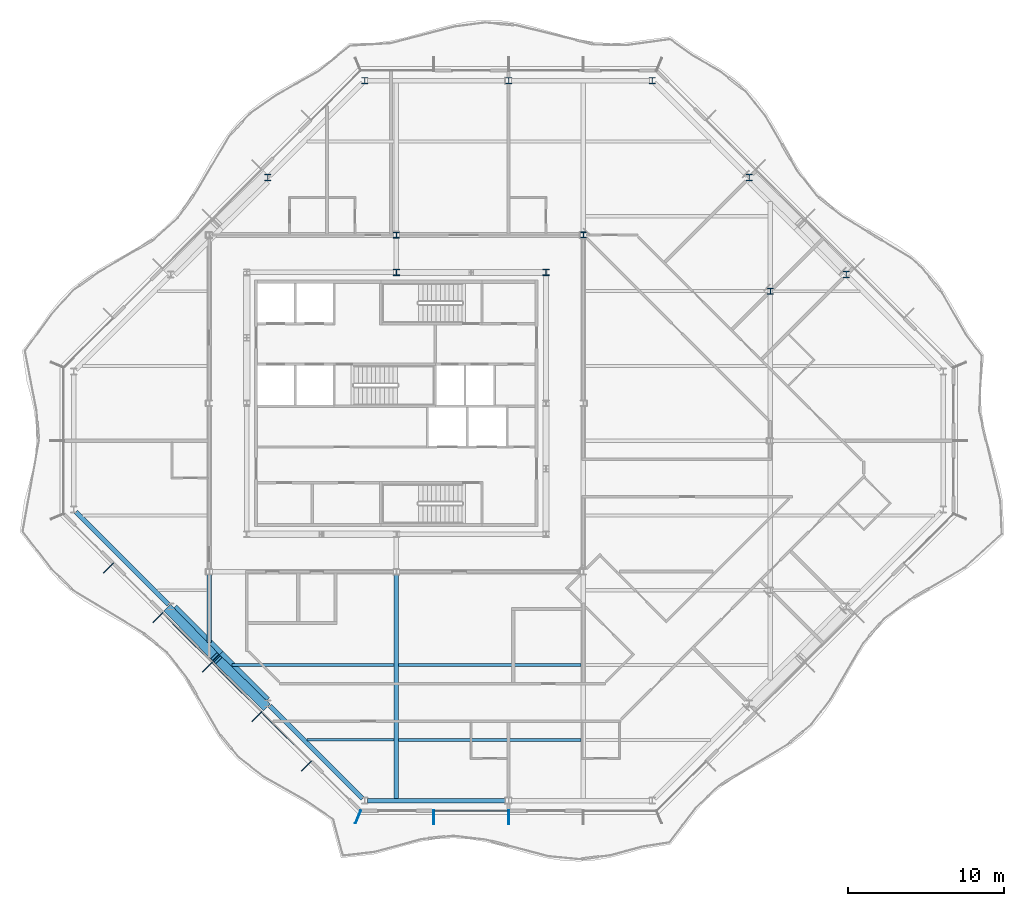
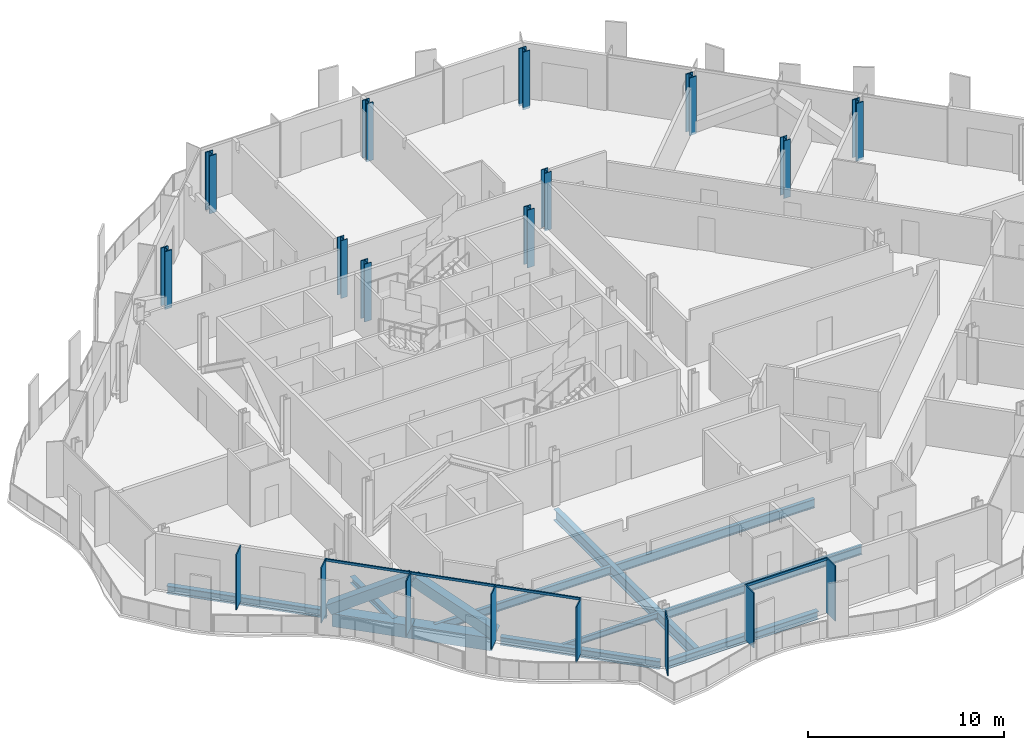
# One storey, part 2 of 17: 14 members, 11 beams, 11 columns, 2 elements without a shape of their own.
"""IFC4 building model written with IfcOpenShell, lengths in metres."""

from ifc_helpers import new_model, si_unit, direction, frame, origin, origin_2d, place, context, subcontext, project, spatial, rectangle, hollow_rectangle, i_section, extrude, material, material_profile, profile_set, type_object, element, aggregate, save


model = new_model("IFC4")

# Units and contexts
model_context = context("Model", 3, precision=1e-05, world=origin(), true_north=direction((0.0, 1.0)))
body_context = subcontext(model_context, "Body", "Model", "MODEL_VIEW")
ifc_project = project(units=[si_unit("LENGTHUNIT", "METRE"), si_unit("AREAUNIT", "SQUARE_METRE"), si_unit("VOLUMEUNIT", "CUBIC_METRE"), si_unit("PLANEANGLEUNIT", "RADIAN"), si_unit("MASSUNIT", "GRAM", prefix="KILO")], contexts=[model_context])

# Site, building, storey
site_placement = place(None, origin())
site = spatial("IfcSite", under=ifc_project, at=site_placement, CompositionType="ELEMENT")
building_placement = place(site_placement, origin())
building = spatial("IfcBuilding", under=site, at=building_placement, Name="Cairn Pilgrim Tower", CompositionType="ELEMENT")
storey_placement = place(building_placement, frame((0.0, 0.0, 232.199951171875)))
storey = spatial("IfcBuildingStorey", under=building, at=storey_placement, Name="L59", CompositionType="ELEMENT", Elevation=232.199951171875)

# Columns
ifc_material_1 = material(Name="Structural steel S355J2", Category="steel")
ifc_material_profile_1 = material_profile(ifc_material_1, i_section(OverallWidth=0.39892578125, OverallDepth=0.39306640625, WebThickness=0.022705078125, FlangeThickness=0.03662109375, FilletRadius=0.014892578125, at=origin_2d()), Name="HD 400x287")
ifc_profile_set_1 = profile_set([ifc_material_profile_1], Name="Structural steel S355J2")
column_type_1 = type_object("IfcColumnType", Name="HD 400x287", PredefinedType="COLUMN", material=ifc_profile_set_1)
for number, where, z_axis, x_axis, name in (
    (1, (7.199951171875, 13.199951171875, -0.14990234375), (0.0, 0.0, 1.0), (1.0, 0.0, 0.0), "IC-7"),
    (2, (19.199951171875, 13.199951171875, -0.14990234375), (0.0, 0.0, 1.0), (1.0, 0.0, 0.0), "IC-8"),
    (3, (31.199951171875, 9.60009765625, -0.14990234375), (0.0, 0.0, 1.0), (1.0, 0.0, 0.0), "WC-WE+2"),
):
    element("IfcColumn", number, at=place(storey_placement, frame(where, z_axis=z_axis, x_axis=x_axis)), inside=storey, type_object=column_type_1, Name=name, PredefinedType="COLUMN", context=body_context, shape_type="SweptSolid", body=[
        extrude(i_section(OverallWidth=0.39892578125, OverallDepth=0.39306640625, WebThickness=0.022705078125, FlangeThickness=0.03662109375, FilletRadius=0.014892578125, at=origin_2d()), origin(), (0.0, 0.0, 1.0), 3.599853515625),
    ])
ifc_material_2 = material(Name="Structural steel S460M", Category="steel")
ifc_material_profile_2 = material_profile(ifc_material_2, i_section(OverallWidth=0.404052734375, OverallDepth=0.406982421875, WebThickness=0.027099609375, FlangeThickness=0.043701171875, FilletRadius=0.014892578125, at=origin_2d()), Name="HD 400x347")
ifc_profile_set_2 = profile_set([ifc_material_profile_2], Name="Structural steel S460M")
column_type_2 = type_object("IfcColumnType", Name="HD 400x347", PredefinedType="COLUMN", material=ifc_profile_set_2)
for number, where, z_axis, x_axis, name in (
    (4, (7.199951171875, 10.800048828125, -0.14990234375), (0.0, 0.0, 1.0), (1.0, 0.0, 0.0), "KC-7"),
    (5, (16.800048828125, 10.800048828125, -0.14990234375), (0.0, 0.0, 1.0), (1.0, 0.0, 0.0), "KC-8"),
):
    element("IfcColumn", number, at=place(storey_placement, frame(where, z_axis=z_axis, x_axis=x_axis)), inside=storey, type_object=column_type_2, Name=name, PredefinedType="COLUMN", context=body_context, shape_type="SweptSolid", body=[
        extrude(i_section(OverallWidth=0.404052734375, OverallDepth=0.406982421875, WebThickness=0.027099609375, FlangeThickness=0.043701171875, FilletRadius=0.014892578125, at=origin_2d()), origin(), (0.0, 0.0, 1.0), 3.599853515625),
    ])
ifc_material_profile_3 = material_profile(ifc_material_2, i_section(OverallWidth=0.416015625, OverallDepth=0.446044921875, WebThickness=0.0390625, FlangeThickness=0.062744140625, FilletRadius=0.014892578125, at=origin_2d()), Name="HD 400x509")
ifc_profile_set_3 = profile_set([ifc_material_profile_3], Name="Structural steel S460M")
column_type_3 = type_object("IfcColumnType", Name="HD 400x509", PredefinedType="COLUMN", material=ifc_profile_set_3)
for number, where, z_axis, x_axis, name in (
    (6, (36.07568359375, 10.651611328125, -0.14990234375), (0.0, 0.0, 1.0), (1.0, 0.0, 0.0), "PC3-NE2"),
    (7, (29.8515625, 16.875732421875, -0.14990234375), (0.0, 0.0, 1.0), (1.0, 0.0, 0.0), "PC3-NE3"),
    (8, (23.627197265625, 23.10009765625, -0.14990234375), (0.0, 0.0, 1.0), (1.0, 0.0, 0.0), "PC3-N1"),
    (9, (14.39990234375, 23.10009765625, -0.14990234375), (0.0, 0.0, 1.0), (1.0, 0.0, 0.0), "PC3-N2"),
    (10, (5.1728515625, 23.10009765625, -0.14990234375), (0.0, 0.0, 1.0), (1.0, 0.0, 0.0), "PC3-NW1"),
    (11, (-1.051513671875, 16.875732421875, -0.14990234375), (0.0, 0.0, 1.0), (1.0, 0.0, 0.0), "PC3-NW2"),
):
    element("IfcColumn", number, at=place(storey_placement, frame(where, z_axis=z_axis, x_axis=x_axis)), inside=storey, type_object=column_type_3, Name=name, PredefinedType="COLUMN", context=body_context, shape_type="SweptSolid", body=[
        extrude(i_section(OverallWidth=0.416015625, OverallDepth=0.446044921875, WebThickness=0.0390625, FlangeThickness=0.062744140625, FilletRadius=0.014892578125, at=origin_2d()), origin(), (0.0, 0.0, 1.0), 3.599853515625),
    ])

# Members
ifc_material_profile_4 = material_profile(ifc_material_2, hollow_rectangle(XDim=0.60009765625, YDim=0.60009765625, WallThickness=0.034912109375, at=origin_2d()), Name="BOX 600x600x35")
ifc_profile_set_4 = profile_set([ifc_material_profile_4], Name="Structural steel S460M")
member_type_1 = type_object("IfcMemberType", Name="BOX 600x600x35 BRACE", PredefinedType="BRACE", material=ifc_profile_set_4)
member_1_placement = place(storey_placement, frame((-7.4013671875, -10.823974609375, 0.150146484375), z_axis=(0.594778373814, -0.610009201523, 0.523571828979), x_axis=(0.715988756584, 0.698111810848, 0.0)))
element("IfcMember", 12, at=member_1_placement, inside=storey, type_object=member_type_1, Name="XB-SW2-SW3-1", PredefinedType="BRACE", context=body_context, shape_type="SweptSolid", body=[
    extrude(hollow_rectangle(XDim=0.60009765625, YDim=0.60009765625, WallThickness=0.034912109375, at=origin_2d()), origin(), (0.0, 0.0, 1.0), 5.033203125),
])
member_2_placement = place(storey_placement, frame((-1.22412109375, -17.00146484375, 0.150146484375), z_axis=(-0.609978743911, 0.59479597279, 0.523587321016), x_axis=(-0.698140268834, -0.71596100804, 0.0)))
element("IfcMember", 13, at=member_2_placement, inside=storey, type_object=member_type_1, Name="XB-SW2-SW3-2", PredefinedType="BRACE", context=body_context, shape_type="SweptSolid", body=[
    extrude(hollow_rectangle(XDim=0.60009765625, YDim=0.60009765625, WallThickness=0.034912109375, at=origin_2d()), origin(), (0.0, 0.0, 1.0), 5.032958984375),
])

# Beams
ifc_material_profile_5 = material_profile(ifc_material_1, hollow_rectangle(XDim=0.699951171875, YDim=0.800048828125, WallThickness=0.0400390625, at=origin_2d()), Name="BOX 700x800x40")
ifc_profile_set_5 = profile_set([ifc_material_profile_5], Name="Structural steel S355J2")
beam_type_1 = type_object("IfcBeamType", Name="BOX 700x800x40 RING GIRDER", PredefinedType="SPANDREL", material=ifc_profile_set_5)
beam_1_placement = place(storey_placement, frame((-7.143310546875, -10.78369140625, -0.550048828125), z_axis=(0.707077813866, -0.707135747321, 0.0), x_axis=(0.707135747321, 0.707077813866, 0.0)))
element("IfcBeam", 14, at=beam_1_placement, inside=storey, type_object=beam_type_1, Name="RG3-SW2-SW3-1", PredefinedType="SPANDREL", context=body_context, shape_type="SweptSolid", body=[
    extrude(hollow_rectangle(XDim=0.699951171875, YDim=0.800048828125, WallThickness=0.0400390625, at=origin_2d()), origin(), (0.0, 0.0, 1.0), 4.214111328125),
])
beam_2_placement = place(storey_placement, frame((-4.16357421875, -13.763671875, -0.550048828125), z_axis=(0.707106781187, -0.707106781187, 0.0), x_axis=(0.707106781187, 0.707106781187, 0.0)))
element("IfcBeam", 15, at=beam_2_placement, inside=storey, type_object=beam_type_1, Name="RG3-SW2-SW3-2", PredefinedType="SPANDREL", context=body_context, shape_type="SweptSolid", body=[
    extrude(hollow_rectangle(XDim=0.699951171875, YDim=0.800048828125, WallThickness=0.0400390625, at=origin_2d()), origin(), (0.0, 0.0, 1.0), 4.2138671875),
])

# Curtain wall, members
ifc_material_3 = material(Name="Aluminium alloy 6063-T6 bronze anodised with Bronze tinted laminated low-E glass 8+16+8.8", Category="aluminium")
curtain_wall_type_1 = type_object("IfcCurtainWallType", Name="TOWER STICK CURTAIN WALL NS", PredefinedType="NOTDEFINED", material=ifc_material_3)
curtain_wall_1_placement = place(storey_placement, origin())
curtain_wall_1 = element("IfcCurtainWall", 16, at=curtain_wall_1_placement, inside=storey, type_object=curtain_wall_type_1, Name="Tower Stick Curtain Wall Ns S", PredefinedType="NOTDEFINED")
ifc_material_4 = material(Name="Aluminium alloy 6063-T6 bronze anodised", Category="aluminium")
ifc_material_profile_6 = material_profile(ifc_material_4, rectangle(XDim=0.89990234375, YDim=0.06005859375, at=origin_2d()), Name="FIN MULLION 60x900 BRONZE")
ifc_profile_set_6 = profile_set([ifc_material_profile_6], Name="Aluminium alloy 6063-T6 bronze anodised")
member_type_2 = type_object("IfcMemberType", Name="FIN MULLION 60x900 BRONZE", PredefinedType="MULLION", material=ifc_profile_set_6)
member_3_placement = place(storey_placement, frame((4.742919921875, -24.137939453125, 0.0), z_axis=(0.0, 0.0, 1.0), x_axis=(-0.382683432365, -0.923879532511, 0.0)))
member_3 = element("IfcMember", 17, at=member_3_placement, type_object=member_type_2, Name="Fin mullion S1", PredefinedType="MULLION", context=body_context, shape_type="SweptSolid", body=[
    extrude(rectangle(XDim=0.89990234375, YDim=0.06005859375, at=origin_2d()), origin(), (0.0, 0.0, 1.0), 3.449951171875),
])
member_4_placement = place(storey_placement, frame((9.60009765625, -24.169921875, 0.0), z_axis=(0.0, 0.0, 1.0), x_axis=(0.0, -1.0, 0.0)))
member_4 = element("IfcMember", 18, at=member_4_placement, type_object=member_type_2, Name="Fin mullion S2", PredefinedType="MULLION", context=body_context, shape_type="SweptSolid", body=[
    extrude(rectangle(XDim=0.89990234375, YDim=0.06005859375, at=origin_2d()), origin(), (0.0, 0.0, 1.0), 3.449951171875),
])
member_5_placement = place(storey_placement, frame((14.39990234375, -24.169921875, 0.0), z_axis=(0.0, 0.0, 1.0), x_axis=(0.0, -1.0, 0.0)))
member_5 = element("IfcMember", 19, at=member_5_placement, type_object=member_type_2, Name="Fin mullion S3", PredefinedType="MULLION", context=body_context, shape_type="SweptSolid", body=[
    extrude(rectangle(XDim=0.89990234375, YDim=0.06005859375, at=origin_2d()), origin(), (0.0, 0.0, 1.0), 3.449951171875),
])

curtain_wall_type_2 = type_object("IfcCurtainWallType", Name="CHAMFER CORNER CURTAIN WALL", PredefinedType="NOTDEFINED", material=ifc_material_3)
curtain_wall_2_placement = place(storey_placement, origin())
curtain_wall_2 = element("IfcCurtainWall", 20, at=curtain_wall_2_placement, inside=storey, type_object=curtain_wall_type_2, Name="Chamfer Corner Curtain Wall SW", PredefinedType="NOTDEFINED")
member_6_placement = place(storey_placement, frame((-11.271484375, -8.1689453125, 0.0), z_axis=(0.0, 0.0, 1.0), x_axis=(-0.707106781187, -0.707106781187, 0.0)))
member_6 = element("IfcMember", 21, at=member_6_placement, type_object=member_type_2, Name="Fin mullion SW2", PredefinedType="MULLION", context=body_context, shape_type="SweptSolid", body=[
    extrude(rectangle(XDim=0.89990234375, YDim=0.06005859375, at=origin_2d()), origin(), (0.0, 0.0, 1.0), 3.449951171875),
])
member_7_placement = place(storey_placement, frame((-8.095703125, -11.3447265625, 0.0), z_axis=(0.0, 0.0, 1.0), x_axis=(-0.707106781187, -0.707106781187, 0.0)))
member_7 = element("IfcMember", 22, at=member_7_placement, type_object=member_type_2, Name="Fin mullion SW3", PredefinedType="MULLION", context=body_context, shape_type="SweptSolid", body=[
    extrude(rectangle(XDim=0.89990234375, YDim=0.06005859375, at=origin_2d()), origin(), (0.0, 0.0, 1.0), 3.449951171875),
])
member_8_placement = place(storey_placement, frame((-4.920166015625, -14.520263671875, 0.0), z_axis=(0.0, 0.0, 1.0), x_axis=(-0.707106781187, -0.707106781187, 0.0)))
member_8 = element("IfcMember", 23, at=member_8_placement, type_object=member_type_2, Name="Fin mullion SW4", PredefinedType="MULLION", context=body_context, shape_type="SweptSolid", body=[
    extrude(rectangle(XDim=0.89990234375, YDim=0.06005859375, at=origin_2d()), origin(), (0.0, 0.0, 1.0), 3.449951171875),
])
member_9_placement = place(storey_placement, frame((-1.74462890625, -17.69580078125, 0.0), z_axis=(0.0, 0.0, 1.0), x_axis=(-0.707106781187, -0.707106781187, 0.0)))
member_9 = element("IfcMember", 24, at=member_9_placement, type_object=member_type_2, Name="Fin mullion SW5", PredefinedType="MULLION", context=body_context, shape_type="SweptSolid", body=[
    extrude(rectangle(XDim=0.89990234375, YDim=0.06005859375, at=origin_2d()), origin(), (0.0, 0.0, 1.0), 3.449951171875),
])
member_10_placement = place(storey_placement, frame((1.430908203125, -20.871337890625, 0.0), z_axis=(0.0, 0.0, 1.0), x_axis=(-0.707106781187, -0.707106781187, 0.0)))
member_10 = element("IfcMember", 25, at=member_10_placement, type_object=member_type_2, Name="Fin mullion SW6", PredefinedType="MULLION", context=body_context, shape_type="SweptSolid", body=[
    extrude(rectangle(XDim=0.89990234375, YDim=0.06005859375, at=origin_2d()), origin(), (0.0, 0.0, 1.0), 3.449951171875),
])

# Beams
ifc_material_profile_7 = material_profile(ifc_material_1, i_section(OverallWidth=0.300048828125, OverallDepth=0.39990234375, WebThickness=0.013427734375, FlangeThickness=0.02392578125, FilletRadius=0.027099609375, at=origin_2d()), Name="HEB 400")
ifc_profile_set_7 = profile_set([ifc_material_profile_7], Name="Structural steel S355J2")
beam_type_2 = type_object("IfcBeamType", Name="HEB 400 GIRDER", PredefinedType="BEAM", material=ifc_profile_set_7)
beam_3_placement = place(storey_placement, frame((-4.800048828125, -12.945068359375, -0.349853515625), z_axis=(0.0, 1.0, 0.0), x_axis=(-1.0, 0.0, 0.0)))
element("IfcBeam", 26, at=beam_3_placement, inside=storey, type_object=beam_type_2, Name="PG2-1", PredefinedType="BEAM", context=body_context, shape_type="SweptSolid", body=[
    extrude(i_section(OverallWidth=0.300048828125, OverallDepth=0.39990234375, WebThickness=0.013427734375, FlangeThickness=0.02392578125, FilletRadius=0.027099609375, at=origin_2d()), origin(), (0.0, 0.0, 1.0), 4.345458984375),
])
ifc_material_profile_8 = material_profile(ifc_material_1, i_section(OverallWidth=0.300048828125, OverallDepth=0.5, WebThickness=0.014404296875, FlangeThickness=0.028076171875, FilletRadius=0.027099609375, at=origin_2d()), Name="HEB 500")
ifc_profile_set_8 = profile_set([ifc_material_profile_8], Name="Structural steel S355J2")
beam_type_3 = type_object("IfcBeamType", Name="HEB 500 RING GIRDER", PredefinedType="SPANDREL", material=ifc_profile_set_8)
beam_4_placement = place(storey_placement, frame((5.360107421875, -23.10009765625, -0.39990234375), z_axis=(1.0, 0.0, 0.0), x_axis=(0.0, 1.0, 0.0)))
element("IfcBeam", 27, at=beam_4_placement, inside=storey, type_object=beam_type_3, Name="RG3-S1-S2", PredefinedType="SPANDREL", context=body_context, shape_type="SweptSolid", body=[
    extrude(i_section(OverallWidth=0.300048828125, OverallDepth=0.5, WebThickness=0.014404296875, FlangeThickness=0.028076171875, FilletRadius=0.027099609375, at=origin_2d()), origin(), (0.0, 0.0, 1.0), 8.852783203125),
])
for number, where, z_axis, x_axis, name in (
    (28, (-13.36767578125, -4.5595703125, -0.39990234375), (0.707106781187, -0.707106781187, 0.0), (0.707106781187, 0.707106781187, 0.0), "RG3-SW1-SW2"),
    (29, (-0.919189453125, -17.008056640625, -0.39990234375), (0.707106781187, -0.707106781187, 0.0), (0.707106781187, 0.707106781187, 0.0), "RG3-SW3-S1"),
):
    element("IfcBeam", number, at=place(storey_placement, frame(where, z_axis=z_axis, x_axis=x_axis)), inside=storey, type_object=beam_type_3, Name=name, PredefinedType="SPANDREL", context=body_context, shape_type="SweptSolid", body=[
        extrude(i_section(OverallWidth=0.300048828125, OverallDepth=0.5, WebThickness=0.014404296875, FlangeThickness=0.028076171875, FilletRadius=0.027099609375, at=origin_2d()), origin(), (0.0, 0.0, 1.0), 8.427978515625),
    ])
ifc_material_profile_9 = material_profile(ifc_material_1, i_section(OverallWidth=0.300048828125, OverallDepth=0.699951171875, WebThickness=0.01708984375, FlangeThickness=0.031982421875, FilletRadius=0.027099609375, at=origin_2d()), Name="HEB 700")
ifc_profile_set_9 = profile_set([ifc_material_profile_9], Name="Structural steel S355J2")
beam_type_4 = type_object("IfcBeamType", Name="HEB 700 GIRDER", PredefinedType="BEAM", material=ifc_profile_set_9)
beam_5_placement = place(storey_placement, frame((7.199951171875, -22.97998046875, -0.5), z_axis=(0.0, 1.0, 0.0), x_axis=(-1.0, 0.0, 0.0)))
element("IfcBeam", 30, at=beam_5_placement, inside=storey, type_object=beam_type_4, Name="PG3-1", PredefinedType="BEAM", context=body_context, shape_type="SweptSolid", body=[
    extrude(i_section(OverallWidth=0.300048828125, OverallDepth=0.699951171875, WebThickness=0.01708984375, FlangeThickness=0.031982421875, FilletRadius=0.027099609375, at=origin_2d()), origin(), (0.0, 0.0, 1.0), 14.38037109375),
])
ifc_material_profile_10 = material_profile(ifc_material_1, i_section(OverallWidth=0.169921875, OverallDepth=0.360107421875, WebThickness=0.008056640625, FlangeThickness=0.0126953125, FilletRadius=0.01806640625, at=origin_2d()), Name="IPE 360")
ifc_profile_set_10 = profile_set([ifc_material_profile_10], Name="Structural steel S355J2")
beam_type_5 = type_object("IfcBeamType", Name="IPE 360 SECONDARY BEAM", PredefinedType="JOIST", material=ifc_profile_set_10)
beam_6_placement = place(storey_placement, frame((1.454833984375, -19.199951171875, -0.329833984375), z_axis=(1.0, 0.0, 0.0), x_axis=(0.0, 1.0, 0.0)))
element("IfcBeam", 31, at=beam_6_placement, inside=storey, type_object=beam_type_5, Name="SB1-1", PredefinedType="JOIST", context=body_context, shape_type="SweptSolid", body=[
    extrude(i_section(OverallWidth=0.169921875, OverallDepth=0.360107421875, WebThickness=0.008056640625, FlangeThickness=0.0126953125, FilletRadius=0.01806640625, at=origin_2d()), origin(), (0.0, 0.0, 1.0), 5.59521484375),
])
ifc_material_profile_11 = material_profile(ifc_material_1, i_section(OverallWidth=0.199951171875, OverallDepth=0.5, WebThickness=0.01025390625, FlangeThickness=0.01611328125, FilletRadius=0.02099609375, at=origin_2d()), Name="IPE 500")
ifc_profile_set_11 = profile_set([ifc_material_profile_11], Name="Structural steel S355J2")
beam_type_6 = type_object("IfcBeamType", Name="IPE 500 SECONDARY BEAM", PredefinedType="JOIST", material=ifc_profile_set_11)
beam_7_placement = place(storey_placement, frame((-3.34521484375, -14.39990234375, -0.39990234375), z_axis=(1.0, 0.0, 0.0), x_axis=(0.0, 1.0, 0.0)))
element("IfcBeam", 32, at=beam_7_placement, inside=storey, type_object=beam_type_6, Name="SB2-1", PredefinedType="JOIST", context=body_context, shape_type="SweptSolid", body=[
    extrude(i_section(OverallWidth=0.199951171875, OverallDepth=0.5, WebThickness=0.01025390625, FlangeThickness=0.01611328125, FilletRadius=0.02099609375, at=origin_2d()), origin(), (0.0, 0.0, 1.0), 10.395263671875),
])
ifc_material_profile_12 = material_profile(ifc_material_1, i_section(OverallWidth=0.2099609375, OverallDepth=0.550048828125, WebThickness=0.010986328125, FlangeThickness=0.01708984375, FilletRadius=0.02392578125, at=origin_2d()), Name="IPE 550")
ifc_profile_set_12 = profile_set([ifc_material_profile_12], Name="Structural steel S355J2")
beam_type_7 = type_object("IfcBeamType", Name="IPE 550 SECONDARY BEAM", PredefinedType="JOIST", material=ifc_profile_set_12)
for number, where, z_axis, x_axis, name in (
    (33, (7.35009765625, -19.199951171875, -0.425048828125), (1.0, 0.0, 0.0), (0.0, 1.0, 0.0), "SB1-2"),
    (34, (7.35009765625, -14.39990234375, -0.425048828125), (1.0, 0.0, 0.0), (0.0, 1.0, 0.0), "SB2-2"),
):
    element("IfcBeam", number, at=place(storey_placement, frame(where, z_axis=z_axis, x_axis=x_axis)), inside=storey, type_object=beam_type_7, Name=name, PredefinedType="JOIST", context=body_context, shape_type="SweptSolid", body=[
        extrude(i_section(OverallWidth=0.2099609375, OverallDepth=0.550048828125, WebThickness=0.010986328125, FlangeThickness=0.01708984375, FilletRadius=0.02392578125, at=origin_2d()), origin(), (0.0, 0.0, 1.0), 11.699951171875),
    ])

# Member
ifc_material_profile_13 = material_profile(ifc_material_4, rectangle(XDim=0.080078125, YDim=0.14990234375, at=origin_2d()), Name="TRANSOM 80x150 BRONZE")
ifc_profile_set_13 = profile_set([ifc_material_profile_13], Name="Aluminium alloy 6063-T6 bronze anodised")
member_type_3 = type_object("IfcMemberType", Name="TRANSOM 80x150 BRONZE", PredefinedType="USERDEFINED", material=ifc_profile_set_13)
member_11_placement = place(storey_placement, frame((9.6298828125, -23.75, 3.375), z_axis=(1.0, 0.0, 0.0), x_axis=(0.0, 1.0, 0.0)))
member_11 = element("IfcMember", 35, at=member_11_placement, type_object=member_type_3, Name="Transom S2", ObjectType="TRANSOM", PredefinedType="USERDEFINED", context=body_context, shape_type="SweptSolid", body=[
    extrude(rectangle(XDim=0.080078125, YDim=0.14990234375, at=origin_2d()), origin(), (0.0, 0.0, 1.0), 4.740234375),
])

aggregate(curtain_wall_1, [member_3, member_4, member_5, member_11])

member_12_placement = place(storey_placement, frame((-7.777587890625, -11.06884765625, 3.375), z_axis=(0.707106781187, -0.707106781187, 0.0), x_axis=(0.707106781187, 0.707106781187, 0.0)))
member_12 = element("IfcMember", 36, at=member_12_placement, type_object=member_type_3, Name="Transom SW3", ObjectType="TRANSOM", PredefinedType="USERDEFINED", context=body_context, shape_type="SweptSolid", body=[
    extrude(rectangle(XDim=0.080078125, YDim=0.14990234375, at=origin_2d()), origin(), (0.0, 0.0, 1.0), 4.430908203125),
])

member_13_placement = place(storey_placement, frame((-4.60205078125, -14.244384765625, 3.375), z_axis=(0.707106781187, -0.707106781187, 0.0), x_axis=(0.707106781187, 0.707106781187, 0.0)))
member_13 = element("IfcMember", 37, at=member_13_placement, type_object=member_type_3, Name="Transom SW4", ObjectType="TRANSOM", PredefinedType="USERDEFINED", context=body_context, shape_type="SweptSolid", body=[
    extrude(rectangle(XDim=0.080078125, YDim=0.14990234375, at=origin_2d()), origin(), (0.0, 0.0, 1.0), 4.43115234375),
])

member_14_placement = place(storey_placement, frame((-1.426513671875, -17.419921875, 3.375), z_axis=(0.707106781187, -0.707106781187, 0.0), x_axis=(0.707106781187, 0.707106781187, 0.0)))
member_14 = element("IfcMember", 38, at=member_14_placement, type_object=member_type_3, Name="Transom SW5", ObjectType="TRANSOM", PredefinedType="USERDEFINED", context=body_context, shape_type="SweptSolid", body=[
    extrude(rectangle(XDim=0.080078125, YDim=0.14990234375, at=origin_2d()), origin(), (0.0, 0.0, 1.0), 4.43115234375),
])

aggregate(curtain_wall_2, [member_6, member_7, member_8, member_9, member_10, member_12, member_13, member_14])

save(model, "model.ifc")
